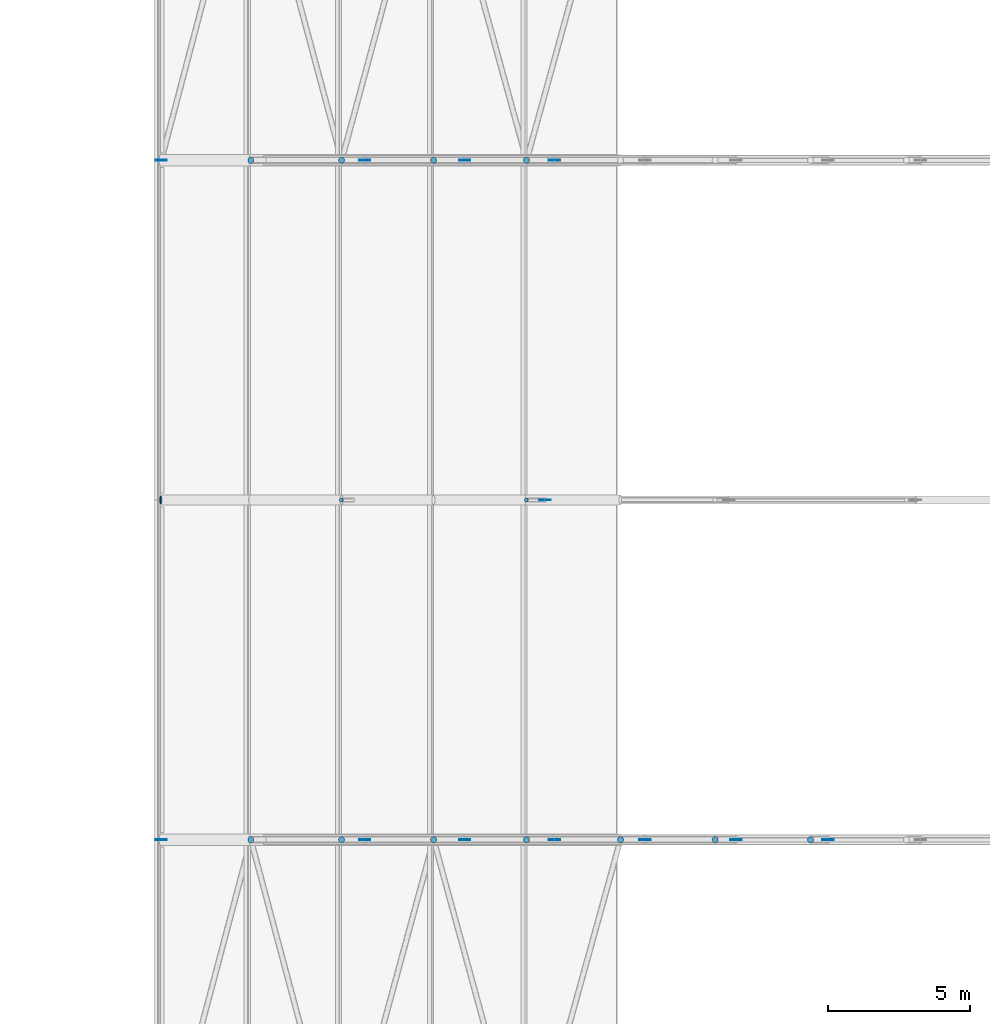
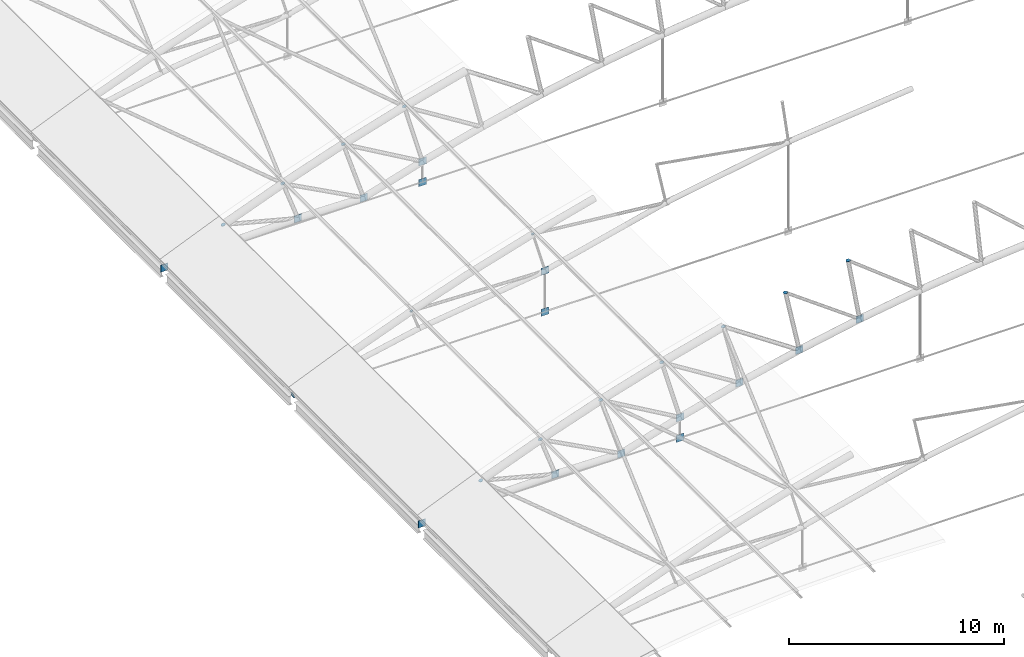
# One storey, part 271 of 321: 29 discrete accessories.
"""IFC4 building model written with IfcOpenShell, lengths in metres."""

from ifc_helpers import new_model, si_unit, direction, frame, origin, origin_2d, place, context, subcontext, project, spatial, rectangle, circle, extrude, material, material_profile, profile_set, type_object, element, save


model = new_model("IFC4")

# Units and contexts
model_context = context("Model", 3, precision=1e-05, world=origin(), true_north=direction((0.0, 1.0)))
body_context = subcontext(model_context, "Body", "Model", "MODEL_VIEW")
ifc_project = project(units=[si_unit("LENGTHUNIT", "METRE"), si_unit("AREAUNIT", "SQUARE_METRE"), si_unit("VOLUMEUNIT", "CUBIC_METRE"), si_unit("PLANEANGLEUNIT", "RADIAN"), si_unit("MASSUNIT", "GRAM", prefix="KILO")], contexts=[model_context])

# Site, building, storey
site_placement = place(None, origin())
site = spatial("IfcSite", under=ifc_project, at=site_placement, CompositionType="ELEMENT")
building_placement = place(site_placement, origin())
building = spatial("IfcBuilding", under=site, at=building_placement, Name="Ravi Spectrum Wholesale Market", CompositionType="ELEMENT")
storey_placement = place(building_placement, frame((0.0, 0.0, 10.800048828125)))
storey = spatial("IfcBuildingStorey", under=building, at=storey_placement, Name="L02", CompositionType="ELEMENT", Elevation=10.800048828125)

# Discrete accessories
ifc_material_1 = material(Name="Steel S355", Category="steel")
ifc_material_profile_1 = material_profile(ifc_material_1, circle(Radius=0.06982421875, at=origin_2d()))
ifc_profile_set_1 = profile_set([ifc_material_profile_1], Name="Steel S355")
discrete_accessory_type_1 = type_object("IfcDiscreteAccessoryType", Name="End plate CHS 139.7x5", PredefinedType="BRACKET", material=ifc_profile_set_1)
for number, where, z_axis, x_axis, name in (
    (1, (36.363037109375, 90.0, 2.56494140625), (-0.346650140872, 0.0, 0.937994498829), (0.0, -1.0, 0.0), "End plate"),
    (2, (42.896240234375, 90.0, 4.661376953125), (-0.266586054538, 0.0, 0.963811120254), (0.0, -1.0, 0.0), "End plate"),
):
    element("IfcDiscreteAccessory", number, at=place(storey_placement, frame(where, z_axis=z_axis, x_axis=x_axis)), inside=storey, type_object=discrete_accessory_type_1, Name=name, PredefinedType="BRACKET", context=body_context, shape_type="SweptSolid", body=[
        extrude(circle(Radius=0.06982421875, at=origin_2d()), origin(), (0.0, 0.0, 1.0), 0.011962890625),
    ])
ifc_material_2 = material(Name="Steel S355", Category="steel")
ifc_material_profile_2 = material_profile(ifc_material_2, circle(Radius=0.109619140625, at=origin_2d()))
ifc_profile_set_2 = profile_set([ifc_material_profile_2], Name="Steel S355")
discrete_accessory_type_2 = type_object("IfcDiscreteAccessoryType", Name="End plate CHS 219.1x8", PredefinedType="BRACKET", material=ifc_profile_set_2)
for number, where, z_axis, x_axis, name in (
    (3, (33.163818359375, 78.0, 1.325439453125), (-0.364399348581, 0.0, 0.931242779706), (0.0, -1.0, 0.0), "End plate"),
    (4, (36.37158203125, 78.0, 2.541015625), (-0.346650140872, 0.0, 0.937994498829), (0.0, -1.0, 0.0), "End plate"),
    (5, (39.619384765625, 78.0, 3.645263671875), (-0.304040173793, 0.0, 0.952659211219), (0.0, -1.0, 0.0), "End plate"),
):
    element("IfcDiscreteAccessory", number, at=place(storey_placement, frame(where, z_axis=z_axis, x_axis=x_axis)), inside=storey, type_object=discrete_accessory_type_2, Name=name, PredefinedType="BRACKET", context=body_context, shape_type="SweptSolid", body=[
        extrude(circle(Radius=0.109619140625, at=origin_2d()), origin(), (0.0, 0.0, 1.0), 0.011962890625),
    ])
discrete_accessory_1_placement = place(storey_placement, frame((42.903076171875, 78.0, 4.63671875), z_axis=(-0.261415475728, 0.0, 0.96522637192), x_axis=(0.0, -1.0, 0.0)))
element("IfcDiscreteAccessory", 6, at=discrete_accessory_1_placement, inside=storey, type_object=discrete_accessory_type_2, Name="End plate", PredefinedType="BRACKET", context=body_context, shape_type="SweptSolid", body=[
    extrude(circle(Radius=0.109619140625, at=origin_2d()), origin(), (0.0, 0.0, 1.0), 0.01220703125),
])
for number, where, z_axis, x_axis, name in (
    (7, (46.21923828125, 78.0, 5.514404296875), (-0.223376156329, 0.0, 0.974732318528), (0.0, -1.0, 0.0), "End plate"),
    (8, (49.563720703125, 78.0, 6.27734375), (-0.203954254112, 0.0, 0.978980419738), (0.0, -1.0, 0.0), "End plate"),
    (9, (52.9326171875, 78.0, 6.92431640625), (-0.18428853505, 0.0, 0.982872186934), (0.0, -1.0, 0.0), "End plate"),
    (10, (33.163818359375, 102.0, 1.325439453125), (-0.364399348581, 0.0, 0.931242779706), (0.0, -1.0, 0.0), "End plate"),
    (11, (36.37158203125, 102.0, 2.541015625), (-0.346650140872, 0.0, 0.937994498829), (0.0, -1.0, 0.0), "End plate"),
    (12, (39.619384765625, 102.0, 3.645263671875), (-0.304040173793, 0.0, 0.952659211219), (0.0, -1.0, 0.0), "End plate"),
):
    element("IfcDiscreteAccessory", number, at=place(storey_placement, frame(where, z_axis=z_axis, x_axis=x_axis)), inside=storey, type_object=discrete_accessory_type_2, Name=name, PredefinedType="BRACKET", context=body_context, shape_type="SweptSolid", body=[
        extrude(circle(Radius=0.109619140625, at=origin_2d()), origin(), (0.0, 0.0, 1.0), 0.011962890625),
    ])
discrete_accessory_2_placement = place(storey_placement, frame((42.903076171875, 102.0, 4.63671875), z_axis=(-0.261415475728, 0.0, 0.96522637192), x_axis=(0.0, -1.0, 0.0)))
element("IfcDiscreteAccessory", 13, at=discrete_accessory_2_placement, inside=storey, type_object=discrete_accessory_type_2, Name="End plate", PredefinedType="BRACKET", context=body_context, shape_type="SweptSolid", body=[
    extrude(circle(Radius=0.109619140625, at=origin_2d()), origin(), (0.0, 0.0, 1.0), 0.01220703125),
])
ifc_material_3 = material(Name="Steel S355", Category="steel")
ifc_material_profile_3 = material_profile(ifc_material_3, circle(Radius=0.136474609375, at=origin_2d()))
ifc_profile_set_3 = profile_set([ifc_material_profile_3], Name="Steel S355")
discrete_accessory_type_3 = type_object("IfcDiscreteAccessoryType", Name="End plate CHS 273x10", PredefinedType="BRACKET", material=ifc_profile_set_3)
discrete_accessory_3_placement = place(storey_placement, frame((29.98974609375, 90.0, 0.023193359375), z_axis=(-0.978980419738, 0.0, -0.203954254112), x_axis=(0.0, -1.0, 0.0)))
element("IfcDiscreteAccessory", 14, at=discrete_accessory_3_placement, inside=storey, type_object=discrete_accessory_type_3, Name="End plate", PredefinedType="BRACKET", context=body_context, shape_type="SweptSolid", body=[
    extrude(circle(Radius=0.136474609375, at=origin_2d()), origin(), (0.0, 0.0, 1.0), 0.011962890625),
])
ifc_material_4 = material(Name="Steel S355", Category="steel")
ifc_material_profile_4 = material_profile(ifc_material_4, rectangle(XDim=0.39990234375, YDim=0.02001953125, at=origin_2d()))
ifc_profile_set_4 = profile_set([ifc_material_profile_4], Name="Steel S355")
discrete_accessory_type_4 = type_object("IfcDiscreteAccessoryType", Name="Gusset plate 400x400x20", PredefinedType="BRACKET", material=ifc_profile_set_4)
for number, where, z_axis, x_axis, name in (
    (15, (30.0, 78.0, -0.199951171875), (0.0, 0.0, 1.0), (1.0, 0.0, 0.0), "Gusset plate"),
    (16, (30.0, 102.0, -0.199951171875), (0.0, 0.0, 1.0), (1.0, 0.0, 0.0), "Gusset plate"),
    (17, (37.18310546875, 78.0, 0.08251953125), (0.0, 0.0, 1.0), (1.0, 0.0, 0.0), "Gusset plate"),
    (18, (37.18310546875, 102.0, 0.08251953125), (0.0, 0.0, 1.0), (1.0, 0.0, 0.0), "Gusset plate"),
):
    element("IfcDiscreteAccessory", number, at=place(storey_placement, frame(where, z_axis=z_axis, x_axis=x_axis)), inside=storey, type_object=discrete_accessory_type_4, Name=name, PredefinedType="BRACKET", context=body_context, shape_type="SweptSolid", body=[
        extrude(rectangle(XDim=0.39990234375, YDim=0.02001953125, at=origin_2d()), origin(), (0.0, 0.0, 1.0), 0.39990234375),
    ])
for number, where, z_axis, x_axis, name in (
    (19, (40.71923828125, 78.0, 0.017333984375), (0.0, 0.0, 1.0), (1.0, 0.0, 0.0), "Gusset plate"),
    (20, (40.71923828125, 102.0, 0.017333984375), (0.0, 0.0, 1.0), (1.0, 0.0, 0.0), "Gusset plate"),
):
    element("IfcDiscreteAccessory", number, at=place(storey_placement, frame(where, z_axis=z_axis, x_axis=x_axis)), inside=storey, type_object=discrete_accessory_type_4, Name=name, PredefinedType="BRACKET", context=body_context, shape_type="SweptSolid", body=[
        extrude(rectangle(XDim=0.39990234375, YDim=0.02001953125, at=origin_2d()), origin(), (0.0, 0.0, 1.0), 0.400146484375),
    ])
for number, where, z_axis, x_axis, name in (
    (21, (43.55029296875, 90.0, -0.1767578125), (0.0, 0.0, 1.0), (1.0, 0.0, 0.0), "Gusset plate"),
    (22, (43.55029296875, 90.0, 2.152099609375), (0.0, 0.0, 1.0), (1.0, 0.0, 0.0), "Gusset plate"),
    (23, (43.88427734375, 78.0, -0.199951171875), (0.0, 0.0, 1.0), (1.0, 0.0, 0.0), "Gusset plate"),
    (24, (43.88427734375, 78.0, 0.97314453125), (0.0, 0.0, 1.0), (1.0, 0.0, 0.0), "Gusset plate"),
    (25, (43.88427734375, 102.0, -0.199951171875), (0.0, 0.0, 1.0), (1.0, 0.0, 0.0), "Gusset plate"),
    (26, (43.88427734375, 102.0, 0.97314453125), (0.0, 0.0, 1.0), (1.0, 0.0, 0.0), "Gusset plate"),
    (27, (47.080322265625, 78.0, 1.819091796875), (0.0, 0.0, 1.0), (1.0, 0.0, 0.0), "Gusset plate"),
    (28, (50.3037109375, 78.0, 2.55419921875), (0.0, 0.0, 1.0), (1.0, 0.0, 0.0), "Gusset plate"),
    (29, (53.55029296875, 78.0, 3.177734375), (0.0, 0.0, 1.0), (1.0, 0.0, 0.0), "Gusset plate"),
):
    element("IfcDiscreteAccessory", number, at=place(storey_placement, frame(where, z_axis=z_axis, x_axis=x_axis)), inside=storey, type_object=discrete_accessory_type_4, Name=name, PredefinedType="BRACKET", context=body_context, shape_type="SweptSolid", body=[
        extrude(rectangle(XDim=0.39990234375, YDim=0.02001953125, at=origin_2d()), origin(), (0.0, 0.0, 1.0), 0.39990234375),
    ])

save(model, "model.ifc")
